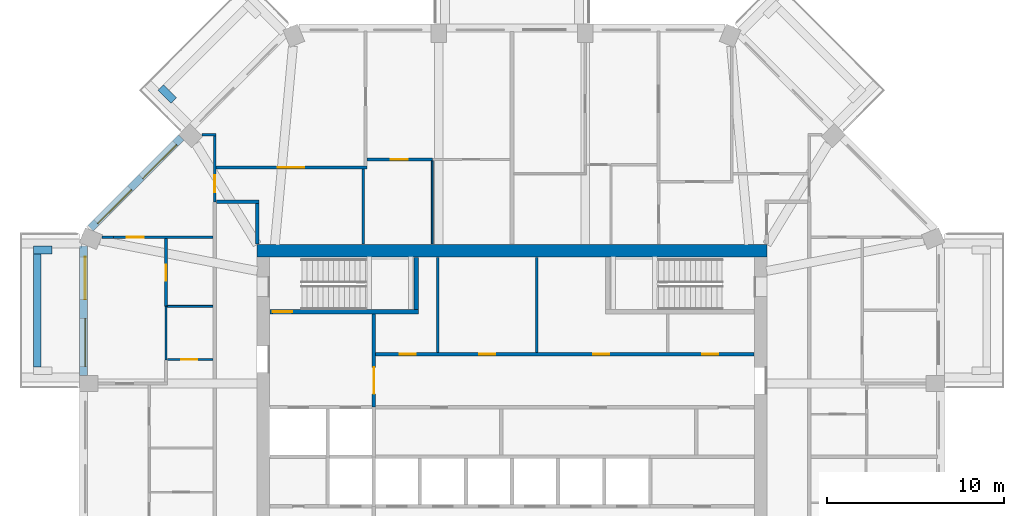
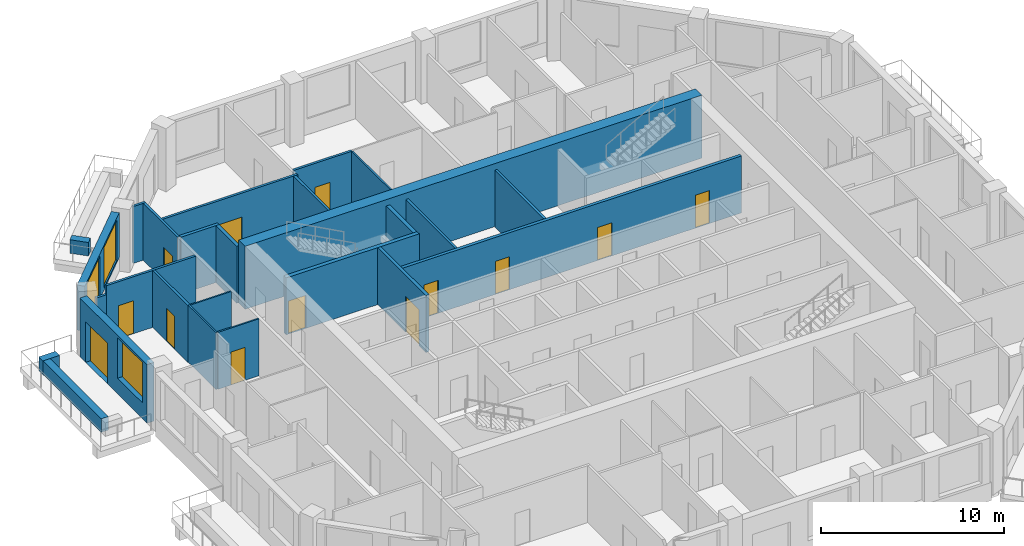
# One storey, part 7 of 12: 26 walls, 13 doors, 3 windows, 16 openings.
"""IFC4 building model written with IfcOpenShell, lengths in metres."""

from ifc_helpers import new_model, si_unit, direction, frame, frame_2d, origin, place, context, subcontext, project, spatial, rectangle, extrude, material, layer, layer_set, type_object, element, fill, save


model = new_model("IFC4")

# Units and contexts
model_context = context("Model", 3, precision=1e-05, world=origin(), true_north=direction((0.0, 1.0)))
body_context = subcontext(model_context, "Body", "Model", "MODEL_VIEW")
ifc_project = project(units=[si_unit("LENGTHUNIT", "METRE"), si_unit("AREAUNIT", "SQUARE_METRE"), si_unit("VOLUMEUNIT", "CUBIC_METRE"), si_unit("PLANEANGLEUNIT", "RADIAN"), si_unit("MASSUNIT", "GRAM", prefix="KILO")], contexts=[model_context])

# Site, building, storey
site_placement = place(None, origin())
site = spatial("IfcSite", under=ifc_project, at=site_placement, CompositionType="ELEMENT")
building_placement = place(site_placement, origin())
building = spatial("IfcBuilding", under=site, at=building_placement, Name="Msitu Wima Residences", CompositionType="ELEMENT")
storey_placement = place(building_placement, frame((0.0, 0.0, 204.300048828125)))
storey = spatial("IfcBuildingStorey", under=building, at=storey_placement, Name="L47", CompositionType="ELEMENT", Elevation=204.300048828125)

# Walls
ifc_material_1 = material(Name="Facing brick")
ifc_layer_1 = layer(ifc_material_1, 0.06494140625, Name="Facing brick")
ifc_material_2 = material(Name="Concrete C40/50", Category="concrete")
ifc_layer_2 = layer(ifc_material_2, 0.156005859375, Name="Concrete C40/50")
ifc_material_3 = material(Name="Waterproofing membrane")
ifc_layer_3 = layer(ifc_material_3, 0.00390625, Name="Waterproofing membrane")
ifc_material_4 = material(Name="Planting soil and planting")
ifc_layer_4 = layer(ifc_material_4, 0.22509765625, Name="Planting soil and planting")
ifc_layer_set_1 = layer_set([ifc_layer_1, ifc_layer_2, ifc_layer_3, ifc_layer_4], Name="Concrete C40/50")
wall_type_1 = type_object("IfcWallType", Name="Balcony planter PLANTER PL450", PredefinedType="USERDEFINED", material=ifc_layer_set_1)
wall_1_placement = place(storey_placement, frame((-19.107421875, 20.1328125, 0.0), z_axis=(0.0, 0.0, 1.0), x_axis=(-0.707106781187, 0.707106781187, 0.0)))
element("IfcWall", 1, at=wall_1_placement, inside=storey, type_object=wall_type_1, Name="Balcony planter NW0 L47", ObjectType="PLANTER", PredefinedType="USERDEFINED", context=body_context, shape_type="SweptSolid", body=[
    extrude(rectangle(XDim=1.050048828125, YDim=0.449951171875, at=frame_2d((0.52490234375, 0.0))), origin(), (0.0, 0.0, 1.0), 0.89990234375),
])
wall_2_placement = place(storey_placement, frame((-26.824951171875, 11.461669921875, 0.0), z_axis=(0.0, 0.0, 1.0), x_axis=(0.0, -1.0, 0.0)))
element("IfcWall", 2, at=wall_2_placement, inside=storey, type_object=wall_type_1, Name="Balcony planter W0 L47", ObjectType="PLANTER", PredefinedType="USERDEFINED", context=body_context, shape_type="SweptSolid", body=[
    extrude(rectangle(XDim=6.37451171875, YDim=0.449951171875, at=frame_2d((3.187255859375, 0.0))), origin(), (0.0, 0.0, 1.0), 0.89990234375),
])
wall_3_placement = place(storey_placement, frame((-26.0, 11.686767578125, 0.0), z_axis=(0.0, 0.0, 1.0), x_axis=(-1.0, 0.0, 0.0)))
element("IfcWall", 3, at=wall_3_placement, inside=storey, type_object=wall_type_1, Name="Balcony planter W0 L47", ObjectType="PLANTER", PredefinedType="USERDEFINED", context=body_context, shape_type="SweptSolid", body=[
    extrude(rectangle(XDim=1.050048828125, YDim=0.449951171875, at=frame_2d((0.52490234375, 0.0))), origin(), (0.0, 0.0, 1.0), 0.89990234375),
])

# Wall, openings, windows
ifc_material_5 = material(Name="Brick (red buff mix)", Category="masonry")
ifc_layer_5 = layer(ifc_material_5, 0.449951171875)
ifc_layer_set_2 = layer_set([ifc_layer_5], Name="Brick (red buff mix)")
wall_type_2 = type_object("IfcWallType", Name="Brick infill wall BW450", PredefinedType="SOLIDWALL", material=ifc_layer_set_2)
wall_4_placement = place(storey_placement, frame((-18.68310546875, 18.046875, 0.89990234375), z_axis=(0.0, 0.0, 1.0), x_axis=(-0.707106781187, -0.707106781187, 0.0)))
wall_4 = element("IfcWall", 4, at=wall_4_placement, inside=storey, type_object=wall_type_2, Name="Brick infill wall L47 NW1", PredefinedType="SOLIDWALL", context=body_context, shape_type="SweptSolid", body=[
    extrude(rectangle(XDim=7.257080078125, YDim=0.449951171875, at=frame_2d((3.62841796875, 0.0))), origin(), (0.0, 0.0, 1.0), 3.0),
])
opening_1_placement = place(wall_4_placement, frame((0.478515625, 0.0, 0.14990234375)))
opening_1 = element("IfcOpeningElement", 5, at=opening_1_placement, cuts=wall_4, Name="Opening W47.014", PredefinedType="OPENING", context=body_context, shape_type="SweptSolid", body=[
    extrude(rectangle(XDim=2.699951171875, YDim=2.699951171875, at=frame_2d((1.35009765625, 1.35009765625))), frame((0.0, 0.23486328125, 0.0), z_axis=(0.0, -1.0, 0.0), x_axis=(1.0, 0.0, 0.0)), (0.0, 0.0, 1.0), 0.469970703125),
])
opening_2_placement = place(wall_4_placement, frame((4.07861328125, 0.0, 0.14990234375)))
opening_2 = element("IfcOpeningElement", 6, at=opening_2_placement, cuts=wall_4, Name="Opening W47.015", PredefinedType="OPENING", context=body_context, shape_type="SweptSolid", body=[
    extrude(rectangle(XDim=2.699951171875, YDim=2.699951171875, at=frame_2d((1.35009765625, 1.35009765625))), frame((0.0, 0.23486328125, 0.0), z_axis=(0.0, -1.0, 0.0), x_axis=(1.0, 0.0, 0.0)), (0.0, 0.0, 1.0), 0.469970703125),
])
ifc_material_6 = material(Name="Anodised aluminium, bronze finish, clear low-emissivity double glazing", Category="aluminium")
window_type = type_object("IfcWindowType", Name="Window W2700x2700", PartitioningType="DOUBLE_PANEL_VERTICAL", PredefinedType="WINDOW", material=ifc_material_6)
window_1_placement = place(opening_1_placement, origin())
window_1 = element("IfcWindow", 7, at=window_1_placement, inside=storey, type_object=window_type, Name="Window L47 NW1.1", OverallHeight=2.699951171875, OverallWidth=2.699951171875, PartitioningType="SINGLE_PANEL", PredefinedType="WINDOW", context=body_context, shape_type="SweptSolid", body=[
    extrude(rectangle(XDim=2.699951171875, YDim=2.699951171875, at=frame_2d((1.35009765625, 1.35009765625))), frame((0.0, 0.135009765625, 0.0), z_axis=(0.0, -1.0, 0.0), x_axis=(1.0, 0.0, 0.0)), (0.0, 0.0, 1.0), 0.06005859375),
])
fill(opening_1, window_1)
window_2_placement = place(opening_2_placement, origin())
window_2 = element("IfcWindow", 8, at=window_2_placement, inside=storey, type_object=window_type, Name="Window L47 NW1.2", OverallHeight=2.699951171875, OverallWidth=2.699951171875, PartitioningType="SINGLE_PANEL", PredefinedType="WINDOW", context=body_context, shape_type="SweptSolid", body=[
    extrude(rectangle(XDim=2.699951171875, YDim=2.699951171875, at=frame_2d((1.35009765625, 1.35009765625))), frame((0.0, 0.135009765625, 0.0), z_axis=(0.0, -1.0, 0.0), x_axis=(1.0, 0.0, 0.0)), (0.0, 0.0, 1.0), 0.06005859375),
])
fill(opening_2, window_2)

# Wall, openings, door, window
wall_5_placement = place(storey_placement, frame((-24.22509765625, 11.9248046875, 0.0), z_axis=(0.0, 0.0, 1.0), x_axis=(0.0, -1.0, 0.0)))
wall_5 = element("IfcWall", 9, at=wall_5_placement, inside=storey, type_object=wall_type_2, Name="Brick infill wall L47 W0", PredefinedType="SOLIDWALL", context=body_context, shape_type="SweptSolid", body=[
    extrude(rectangle(XDim=7.337646484375, YDim=0.449951171875, at=frame_2d((3.6689453125, 0.0))), origin(), (0.0, 0.0, 1.0), 3.89990234375),
])
opening_3_placement = place(wall_5_placement, frame((0.63427734375, 0.0, 0.0)))
opening_3 = element("IfcOpeningElement", 10, at=opening_3_placement, cuts=wall_5, Name="Opening D47.009", PredefinedType="OPENING", context=body_context, shape_type="SweptSolid", body=[
    extrude(rectangle(XDim=2.39990234375, YDim=2.699951171875, at=frame_2d((1.199951171875, 1.35009765625))), frame((0.0, 0.23486328125, 0.0), z_axis=(0.0, -1.0, 0.0), x_axis=(1.0, 0.0, 0.0)), (0.0, 0.0, 1.0), 0.469970703125),
])
opening_4_placement = place(wall_5_placement, frame((4.11865234375, 0.0, 1.050048828125)))
opening_4 = element("IfcOpeningElement", 11, at=opening_4_placement, cuts=wall_5, Name="Opening W47.027", PredefinedType="OPENING", context=body_context, shape_type="SweptSolid", body=[
    extrude(rectangle(XDim=2.699951171875, YDim=2.699951171875, at=frame_2d((1.35009765625, 1.35009765625))), frame((0.0, 0.23486328125, 0.0), z_axis=(0.0, -1.0, 0.0), x_axis=(1.0, 0.0, 0.0)), (0.0, 0.0, 1.0), 0.469970703125),
])
door_type_1 = type_object("IfcDoorType", Name="Balcony door D2400x2700", OperationType="SLIDING_TO_LEFT", PredefinedType="DOOR", material=ifc_material_6)
door_1_placement = place(opening_3_placement, origin())
door_1 = element("IfcDoor", 12, at=door_1_placement, inside=storey, type_object=door_type_1, Name="Balcony door L47 W0", OperationType="SINGLE_SWING_LEFT", OverallHeight=2.699951171875, OverallWidth=2.39990234375, PredefinedType="DOOR", context=body_context, shape_type="SweptSolid", body=[
    extrude(rectangle(XDim=2.39990234375, YDim=2.699951171875, at=frame_2d((1.199951171875, 1.35009765625))), frame((0.0, 0.1298828125, 0.0), z_axis=(0.0, -1.0, 0.0), x_axis=(1.0, 0.0, 0.0)), (0.0, 0.0, 1.0), 0.050048828125),
])
fill(opening_3, door_1)
window_3_placement = place(opening_4_placement, origin())
window_3 = element("IfcWindow", 13, at=window_3_placement, inside=storey, type_object=window_type, Name="Window L47 W0.2", OverallHeight=2.699951171875, OverallWidth=2.699951171875, PartitioningType="SINGLE_PANEL", PredefinedType="WINDOW", context=body_context, shape_type="SweptSolid", body=[
    extrude(rectangle(XDim=2.699951171875, YDim=2.699951171875, at=frame_2d((1.35009765625, 1.35009765625))), frame((0.0, 0.135009765625, 0.0), z_axis=(0.0, -1.0, 0.0), x_axis=(1.0, 0.0, 0.0)), (0.0, 0.0, 1.0), 0.06005859375),
])
fill(opening_4, window_3)

# Walls
ifc_material_7 = material(Name="Concrete C60/75", Category="concrete")
ifc_layer_6 = layer(ifc_material_7, 0.699951171875)
ifc_layer_set_3 = layer_set([ifc_layer_6], Name="Concrete C60/75")
wall_type_3 = type_object("IfcWallType", Name="Core wall CW700 C60/75", PredefinedType="SHEAR", material=ifc_layer_set_3)
wall_6_placement = place(storey_placement, frame((-14.39990234375, 11.64990234375, 0.0), z_axis=(0.0, 0.0, 1.0), x_axis=(1.0, 0.0, 0.0)))
element("IfcWall", 14, at=wall_6_placement, inside=storey, type_object=wall_type_3, Name="Core wall", PredefinedType="SHEAR", context=body_context, shape_type="SweptSolid", body=[
    extrude(rectangle(XDim=28.7998046875, YDim=0.699951171875, at=frame_2d((14.39990234375, 0.0))), origin(), (0.0, 0.0, 1.0), 4.199951171875),
])
ifc_material_8 = material(Name="Plaster")
ifc_layer_7 = layer(ifc_material_8, 0.011962890625, Name="Plaster")
ifc_material_9 = material(Name="Concrete blockwork", Category="masonry")
ifc_layer_8 = layer(ifc_material_9, 0.176025390625, Name="Concrete blockwork")
ifc_layer_9 = layer(ifc_material_8, 0.011962890625, Name="Plaster")
ifc_layer_set_4 = layer_set([ifc_layer_7, ifc_layer_8, ifc_layer_9], Name="Concrete blockwork")
wall_type_4 = type_object("IfcWallType", Name="Corridor wall FW200", PredefinedType="PARTITIONING", material=ifc_layer_set_4)
wall_7_placement = place(storey_placement, frame((-16.699951171875, 14.39990234375, 0.0), z_axis=(0.0, 0.0, 1.0), x_axis=(1.0, 0.0, 0.0)))
element("IfcWall", 15, at=wall_7_placement, inside=storey, type_object=wall_type_4, Name="Corridor wall", PredefinedType="PARTITIONING", context=body_context, shape_type="SweptSolid", body=[
    extrude(rectangle(XDim=2.39990234375, YDim=0.199951171875, at=frame_2d((1.199951171875, 0.0))), origin(), (0.0, 0.0, 1.0), 3.7978515625),
])
wall_8_placement = place(storey_placement, frame((-14.39990234375, 12.030029296875, 0.0), z_axis=(0.0, 0.0, 1.0), x_axis=(0.0, 1.0, 0.0)))
element("IfcWall", 16, at=wall_8_placement, inside=storey, type_object=wall_type_4, Name="Corridor wall", PredefinedType="PARTITIONING", context=body_context, shape_type="SweptSolid", body=[
    extrude(rectangle(XDim=2.27001953125, YDim=0.199951171875, at=frame_2d((1.135009765625, 0.0))), origin(), (0.0, 0.0, 1.0), 3.7978515625),
])

# Wall, opening, door
wall_9_placement = place(storey_placement, frame((-7.800048828125, 2.800048828125, 0.0), z_axis=(0.0, 0.0, 1.0), x_axis=(0.0, 1.0, 0.0)))
wall_9 = element("IfcWall", 17, at=wall_9_placement, inside=storey, type_object=wall_type_4, Name="Corridor wall", PredefinedType="PARTITIONING", context=body_context, shape_type="SweptSolid", body=[
    extrude(rectangle(XDim=5.27490234375, YDim=0.199951171875, at=frame_2d((2.637451171875, 0.0))), origin(), (0.0, 0.0, 1.0), 3.7978515625),
])
opening_5_placement = place(wall_9_placement, frame((0.75, 0.0, 0.0)))
opening_5 = element("IfcOpeningElement", 18, at=opening_5_placement, cuts=wall_9, Name="Opening D47.061", PredefinedType="OPENING", context=body_context, shape_type="SweptSolid", body=[
    extrude(rectangle(XDim=1.5, YDim=2.39990234375, at=frame_2d((0.75, 1.199951171875))), frame((0.0, 0.10986328125, 0.0), z_axis=(0.0, -1.0, 0.0), x_axis=(1.0, 0.0, 0.0)), (0.0, 0.0, 1.0), 0.219970703125),
])
ifc_material_10 = material(Name="Steel framed glazed door, fire resisting", Category="steel")
door_type_2 = type_object("IfcDoorType", Name="Lobby door D07 1500x2400", OperationType="DOUBLE_DOOR_SINGLE_SWING", PredefinedType="DOOR", material=ifc_material_10)
door_2_placement = place(opening_5_placement, origin())
door_2 = element("IfcDoor", 19, at=door_2_placement, inside=storey, type_object=door_type_2, Name="Lobby door", OperationType="DOUBLE_DOOR_SINGLE_SWING", OverallHeight=2.39990234375, OverallWidth=1.5, PredefinedType="DOOR", context=body_context, shape_type="SweptSolid", body=[
    extrude(rectangle(XDim=1.5, YDim=2.39990234375, at=frame_2d((0.75, 1.199951171875))), frame((0.0, 0.02490234375, 0.0), z_axis=(0.0, -1.0, 0.0), x_axis=(1.0, 0.0, 0.0)), (0.0, 0.0, 1.0), 0.050048828125),
])
fill(opening_5, door_2)

# Wall, openings, doors
wall_10_placement = place(storey_placement, frame((-7.699951171875, 5.800048828125, 0.0), z_axis=(0.0, 0.0, 1.0), x_axis=(1.0, 0.0, 0.0)))
wall_10 = element("IfcWall", 20, at=wall_10_placement, inside=storey, type_object=wall_type_4, Name="Corridor wall", PredefinedType="PARTITIONING", context=body_context, shape_type="SweptSolid", body=[
    extrude(rectangle(XDim=21.369873046875, YDim=0.199951171875, at=frame_2d((10.68505859375, 0.0))), origin(), (0.0, 0.0, 1.0), 3.7978515625),
])
opening_6_placement = place(wall_10_placement, frame((1.35009765625, 0.0, 0.0)))
opening_6 = element("IfcOpeningElement", 21, at=opening_6_placement, cuts=wall_10, Name="Opening D47.064", PredefinedType="OPENING", context=body_context, shape_type="SweptSolid", body=[
    extrude(rectangle(XDim=0.89990234375, YDim=2.199951171875, at=frame_2d((0.449951171875, 1.10009765625))), frame((0.0, 0.10986328125, 0.0), z_axis=(0.0, -1.0, 0.0), x_axis=(1.0, 0.0, 0.0)), (0.0, 0.0, 1.0), 0.219970703125),
])
opening_7_placement = place(wall_10_placement, frame((5.85009765625, 0.0, 0.0)))
opening_7 = element("IfcOpeningElement", 22, at=opening_7_placement, cuts=wall_10, Name="Opening D47.065", PredefinedType="OPENING", context=body_context, shape_type="SweptSolid", body=[
    extrude(rectangle(XDim=0.89990234375, YDim=2.199951171875, at=frame_2d((0.449951171875, 1.10009765625))), frame((0.0, 0.10986328125, 0.0), z_axis=(0.0, -1.0, 0.0), x_axis=(1.0, 0.0, 0.0)), (0.0, 0.0, 1.0), 0.219970703125),
])
opening_8_placement = place(wall_10_placement, frame((12.300048828125, 0.0, 0.0)))
opening_8 = element("IfcOpeningElement", 23, at=opening_8_placement, cuts=wall_10, Name="Opening D47.066", PredefinedType="OPENING", context=body_context, shape_type="SweptSolid", body=[
    extrude(rectangle(XDim=0.89990234375, YDim=2.199951171875, at=frame_2d((0.449951171875, 1.10009765625))), frame((0.0, 0.10986328125, 0.0), z_axis=(0.0, -1.0, 0.0), x_axis=(1.0, 0.0, 0.0)), (0.0, 0.0, 1.0), 0.219970703125),
])
opening_9_placement = place(wall_10_placement, frame((18.449951171875, 0.0, 0.0)))
opening_9 = element("IfcOpeningElement", 24, at=opening_9_placement, cuts=wall_10, Name="Opening D47.067", PredefinedType="OPENING", context=body_context, shape_type="SweptSolid", body=[
    extrude(rectangle(XDim=0.89990234375, YDim=2.199951171875, at=frame_2d((0.449951171875, 1.10009765625))), frame((0.0, 0.10986328125, 0.0), z_axis=(0.0, -1.0, 0.0), x_axis=(1.0, 0.0, 0.0)), (0.0, 0.0, 1.0), 0.219970703125),
])
ifc_material_11 = material(Name="Timber flush door", Category="wood")
door_type_3 = type_object("IfcDoorType", Name="Service door D05 900x2200", OperationType="SINGLE_SWING_LEFT", PredefinedType="DOOR", material=ifc_material_11)
door_3_placement = place(opening_6_placement, origin())
door_3 = element("IfcDoor", 25, at=door_3_placement, inside=storey, type_object=door_type_3, Name="Service door", OperationType="SINGLE_SWING_RIGHT", OverallHeight=2.199951171875, OverallWidth=0.89990234375, PredefinedType="DOOR", context=body_context, shape_type="SweptSolid", body=[
    extrude(rectangle(XDim=0.89990234375, YDim=2.199951171875, at=frame_2d((0.449951171875, 1.10009765625))), frame((0.0, 0.02490234375, 0.0), z_axis=(0.0, -1.0, 0.0), x_axis=(1.0, 0.0, 0.0)), (0.0, 0.0, 1.0), 0.050048828125),
])
fill(opening_6, door_3)
door_4_placement = place(opening_7_placement, origin())
door_4 = element("IfcDoor", 26, at=door_4_placement, inside=storey, type_object=door_type_3, Name="Service door", OperationType="SINGLE_SWING_LEFT", OverallHeight=2.199951171875, OverallWidth=0.89990234375, PredefinedType="DOOR", context=body_context, shape_type="SweptSolid", body=[
    extrude(rectangle(XDim=0.89990234375, YDim=2.199951171875, at=frame_2d((0.449951171875, 1.10009765625))), frame((0.0, 0.02490234375, 0.0), z_axis=(0.0, -1.0, 0.0), x_axis=(1.0, 0.0, 0.0)), (0.0, 0.0, 1.0), 0.050048828125),
])
fill(opening_7, door_4)
door_5_placement = place(opening_8_placement, origin())
door_5 = element("IfcDoor", 27, at=door_5_placement, inside=storey, type_object=door_type_3, Name="Service door", OperationType="SINGLE_SWING_RIGHT", OverallHeight=2.199951171875, OverallWidth=0.89990234375, PredefinedType="DOOR", context=body_context, shape_type="SweptSolid", body=[
    extrude(rectangle(XDim=0.89990234375, YDim=2.199951171875, at=frame_2d((0.449951171875, 1.10009765625))), frame((0.0, 0.02490234375, 0.0), z_axis=(0.0, -1.0, 0.0), x_axis=(1.0, 0.0, 0.0)), (0.0, 0.0, 1.0), 0.050048828125),
])
fill(opening_8, door_5)
door_6_placement = place(opening_9_placement, origin())
door_6 = element("IfcDoor", 28, at=door_6_placement, inside=storey, type_object=door_type_3, Name="Service door", OperationType="SINGLE_SWING_LEFT", OverallHeight=2.199951171875, OverallWidth=0.89990234375, PredefinedType="DOOR", context=body_context, shape_type="SweptSolid", body=[
    extrude(rectangle(XDim=0.89990234375, YDim=2.199951171875, at=frame_2d((0.449951171875, 1.10009765625))), frame((0.0, 0.02490234375, 0.0), z_axis=(0.0, -1.0, 0.0), x_axis=(1.0, 0.0, 0.0)), (0.0, 0.0, 1.0), 0.050048828125),
])
fill(opening_9, door_6)

# Wall
ifc_layer_10 = layer(ifc_material_8, 0.011962890625, Name="Plaster")
ifc_layer_11 = layer(ifc_material_9, 0.1259765625, Name="Concrete blockwork")
ifc_layer_12 = layer(ifc_material_8, 0.011962890625, Name="Plaster")
ifc_layer_set_5 = layer_set([ifc_layer_10, ifc_layer_11, ifc_layer_12], Name="Concrete blockwork")
wall_type_5 = type_object("IfcWallType", Name="Partition PW150", PredefinedType="PARTITIONING", material=ifc_layer_set_5)
wall_11_placement = place(storey_placement, frame((-23.169677734375, 12.409912109375, 0.0), z_axis=(0.0, 0.0, 1.0), x_axis=(1.0, 0.0, 0.0)))
element("IfcWall", 29, at=wall_11_placement, inside=storey, type_object=wall_type_5, Name="Partition", PredefinedType="PARTITIONING", context=body_context, shape_type="SweptSolid", body=[
    extrude(rectangle(XDim=0.640380859375, YDim=0.14990234375, at=frame_2d((0.3203125, 0.0))), origin(), (0.0, 0.0, 1.0), 3.199951171875),
])

# Wall, opening, door
wall_12_placement = place(storey_placement, frame((-22.529296875, 12.409912109375, 0.0), z_axis=(0.0, 0.0, 1.0), x_axis=(1.0, 0.0, 0.0)))
wall_12 = element("IfcWall", 30, at=wall_12_placement, inside=storey, type_object=wall_type_5, Name="Partition", PredefinedType="PARTITIONING", context=body_context, shape_type="SweptSolid", body=[
    extrude(rectangle(XDim=5.62939453125, YDim=0.14990234375, at=frame_2d((2.814697265625, 0.0))), origin(), (0.0, 0.0, 1.0), 3.7978515625),
])
opening_10_placement = place(wall_12_placement, frame((0.759521484375, 0.0, 0.0)))
opening_10 = element("IfcOpeningElement", 31, at=opening_10_placement, cuts=wall_12, Name="Opening D47.043", PredefinedType="OPENING", context=body_context, shape_type="SweptSolid", body=[
    extrude(rectangle(XDim=0.949951171875, YDim=2.199951171875, at=frame_2d((0.47509765625, 1.10009765625))), frame((0.0, 0.0849609375, 0.0), z_axis=(0.0, -1.0, 0.0), x_axis=(1.0, 0.0, 0.0)), (0.0, 0.0, 1.0), 0.169921875),
])
door_type_4 = type_object("IfcDoorType", Name="Room door D12 950x2200", OperationType="SINGLE_SWING_LEFT", PredefinedType="DOOR", material=ifc_material_11)
door_7_placement = place(opening_10_placement, origin())
door_7 = element("IfcDoor", 32, at=door_7_placement, inside=storey, type_object=door_type_4, Name="Room door", OperationType="SINGLE_SWING_LEFT", OverallHeight=2.199951171875, OverallWidth=0.949951171875, PredefinedType="DOOR", context=body_context, shape_type="SweptSolid", body=[
    extrude(rectangle(XDim=0.949951171875, YDim=2.199951171875, at=frame_2d((0.47509765625, 1.10009765625))), frame((0.0, 0.02490234375, 0.0), z_axis=(0.0, -1.0, 0.0), x_axis=(1.0, 0.0, 0.0)), (0.0, 0.0, 1.0), 0.050048828125),
])
fill(opening_10, door_7)

wall_13_placement = place(storey_placement, frame((-19.550048828125, 8.5, 0.0), z_axis=(0.0, 0.0, 1.0), x_axis=(0.0, 1.0, 0.0)))
wall_13 = element("IfcWall", 33, at=wall_13_placement, inside=storey, type_object=wall_type_5, Name="Partition", PredefinedType="PARTITIONING", context=body_context, shape_type="SweptSolid", body=[
    extrude(rectangle(XDim=3.8349609375, YDim=0.14990234375, at=frame_2d((1.91748046875, 0.0))), origin(), (0.0, 0.0, 1.0), 3.7978515625),
])
opening_11_placement = place(wall_13_placement, frame((1.449951171875, 0.0, 0.0)))
opening_11 = element("IfcOpeningElement", 34, at=opening_11_placement, cuts=wall_13, Name="Opening D47.029", PredefinedType="OPENING", context=body_context, shape_type="SweptSolid", body=[
    extrude(rectangle(XDim=0.89990234375, YDim=2.199951171875, at=frame_2d((0.449951171875, 1.10009765625))), frame((0.0, 0.0849609375, 0.0), z_axis=(0.0, -1.0, 0.0), x_axis=(1.0, 0.0, 0.0)), (0.0, 0.0, 1.0), 0.169921875),
])
door_8_placement = place(opening_11_placement, origin())
door_8 = element("IfcDoor", 35, at=door_8_placement, inside=storey, type_object=door_type_3, Name="Service door", OperationType="SINGLE_SWING_RIGHT", OverallHeight=2.199951171875, OverallWidth=0.89990234375, PredefinedType="DOOR", context=body_context, shape_type="SweptSolid", body=[
    extrude(rectangle(XDim=0.89990234375, YDim=2.199951171875, at=frame_2d((0.449951171875, 1.10009765625))), frame((0.0, 0.02490234375, 0.0), z_axis=(0.0, -1.0, 0.0), x_axis=(1.0, 0.0, 0.0)), (0.0, 0.0, 1.0), 0.050048828125),
])
fill(opening_11, door_8)

# Wall
wall_14_placement = place(storey_placement, frame((-17.509521484375, 18.205810546875, 0.0), z_axis=(0.0, 0.0, 1.0), x_axis=(1.0, 0.0, 0.0)))
element("IfcWall", 36, at=wall_14_placement, inside=storey, type_object=wall_type_5, Name="Partition", PredefinedType="PARTITIONING", context=body_context, shape_type="SweptSolid", body=[
    extrude(rectangle(XDim=0.784423828125, YDim=0.14990234375, at=frame_2d((0.39208984375, 0.0))), origin(), (0.0, 0.0, 1.0), 3.7978515625),
])

# Wall, opening, door
wall_15_placement = place(storey_placement, frame((-16.800048828125, 14.39990234375, 0.0), z_axis=(0.0, 0.0, 1.0), x_axis=(0.0, 1.0, 0.0)))
wall_15 = element("IfcWall", 37, at=wall_15_placement, inside=storey, type_object=wall_type_5, Name="Partition", PredefinedType="PARTITIONING", context=body_context, shape_type="SweptSolid", body=[
    extrude(rectangle(XDim=3.73095703125, YDim=0.14990234375, at=frame_2d((1.865478515625, 0.0))), origin(), (0.0, 0.0, 1.0), 3.7978515625),
])
opening_12_placement = place(wall_15_placement, frame((0.550048828125, 0.0, 0.0)))
opening_12 = element("IfcOpeningElement", 38, at=opening_12_placement, cuts=wall_15, Name="Opening D47.045", PredefinedType="OPENING", context=body_context, shape_type="SweptSolid", body=[
    extrude(rectangle(XDim=0.949951171875, YDim=2.199951171875, at=frame_2d((0.47509765625, 1.10009765625))), frame((0.0, 0.0849609375, 0.0), z_axis=(0.0, -1.0, 0.0), x_axis=(1.0, 0.0, 0.0)), (0.0, 0.0, 1.0), 0.169921875),
])
door_9_placement = place(opening_12_placement, origin())
door_9 = element("IfcDoor", 39, at=door_9_placement, inside=storey, type_object=door_type_4, Name="Room door", OperationType="SINGLE_SWING_LEFT", OverallHeight=2.199951171875, OverallWidth=0.949951171875, PredefinedType="DOOR", context=body_context, shape_type="SweptSolid", body=[
    extrude(rectangle(XDim=0.949951171875, YDim=2.199951171875, at=frame_2d((0.47509765625, 1.10009765625))), frame((0.0, 0.02490234375, 0.0), z_axis=(0.0, -1.0, 0.0), x_axis=(1.0, 0.0, 0.0)), (0.0, 0.0, 1.0), 0.050048828125),
])
fill(opening_12, door_9)

wall_16_placement = place(storey_placement, frame((-16.72509765625, 16.35009765625, 0.0), z_axis=(0.0, 0.0, 1.0), x_axis=(1.0, 0.0, 0.0)))
wall_16 = element("IfcWall", 40, at=wall_16_placement, inside=storey, type_object=wall_type_5, Name="Partition", PredefinedType="PARTITIONING", context=body_context, shape_type="SweptSolid", body=[
    extrude(rectangle(XDim=8.525634765625, YDim=0.14990234375, at=frame_2d((4.2626953125, 0.0))), origin(), (0.0, 0.0, 1.0), 3.7978515625),
])
opening_13_placement = place(wall_16_placement, frame((3.5, 0.0, 0.0)))
opening_13 = element("IfcOpeningElement", 41, at=opening_13_placement, cuts=wall_16, Name="Opening D47.026", PredefinedType="OPENING", context=body_context, shape_type="SweptSolid", body=[
    extrude(rectangle(XDim=1.5, YDim=2.199951171875, at=frame_2d((0.75, 1.10009765625))), frame((0.0, 0.0849609375, 0.0), z_axis=(0.0, -1.0, 0.0), x_axis=(1.0, 0.0, 0.0)), (0.0, 0.0, 1.0), 0.169921875),
])
ifc_material_12 = material(Name="Timber double door", Category="wood")
door_type_5 = type_object("IfcDoorType", Name="Double door D04 1500x2200", OperationType="DOUBLE_DOOR_SINGLE_SWING", PredefinedType="DOOR", material=ifc_material_12)
door_10_placement = place(opening_13_placement, origin())
door_10 = element("IfcDoor", 42, at=door_10_placement, inside=storey, type_object=door_type_5, Name="Double door", OperationType="DOUBLE_DOOR_SINGLE_SWING", OverallHeight=2.199951171875, OverallWidth=1.5, PredefinedType="DOOR", context=body_context, shape_type="SweptSolid", body=[
    extrude(rectangle(XDim=1.5, YDim=2.199951171875, at=frame_2d((0.75, 1.10009765625))), frame((0.0, 0.02490234375, 0.0), z_axis=(0.0, -1.0, 0.0), x_axis=(1.0, 0.0, 0.0)), (0.0, 0.0, 1.0), 0.050048828125),
])
fill(opening_13, door_10)

# Wall
wall_17_placement = place(storey_placement, frame((-8.39990234375, 12.030029296875, 0.0), z_axis=(0.0, 0.0, 1.0), x_axis=(0.0, 1.0, 0.0)))
element("IfcWall", 43, at=wall_17_placement, inside=storey, type_object=wall_type_5, Name="Partition", PredefinedType="PARTITIONING", context=body_context, shape_type="SweptSolid", body=[
    extrude(rectangle(XDim=4.244873046875, YDim=0.14990234375, at=frame_2d((2.12255859375, 0.0))), origin(), (0.0, 0.0, 1.0), 3.7978515625),
])

# Wall, opening, door
wall_18_placement = place(storey_placement, frame((-8.199462890625, 16.800048828125, 0.0), z_axis=(0.0, 0.0, 1.0), x_axis=(1.0, 0.0, 0.0)))
wall_18 = element("IfcWall", 44, at=wall_18_placement, inside=storey, type_object=wall_type_5, Name="Partition", PredefinedType="PARTITIONING", context=body_context, shape_type="SweptSolid", body=[
    extrude(rectangle(XDim=3.699462890625, YDim=0.14990234375, at=frame_2d((1.849609375, 0.0))), origin(), (0.0, 0.0, 1.0), 3.7978515625),
])
opening_14_placement = place(wall_18_placement, frame((1.35009765625, 0.0, 0.0)))
opening_14 = element("IfcOpeningElement", 45, at=opening_14_placement, cuts=wall_18, Name="Opening D47.035", PredefinedType="OPENING", context=body_context, shape_type="SweptSolid", body=[
    extrude(rectangle(XDim=0.949951171875, YDim=2.199951171875, at=frame_2d((0.47509765625, 1.10009765625))), frame((0.0, 0.0849609375, 0.0), z_axis=(0.0, -1.0, 0.0), x_axis=(1.0, 0.0, 0.0)), (0.0, 0.0, 1.0), 0.169921875),
])
door_11_placement = place(opening_14_placement, origin())
door_11 = element("IfcDoor", 46, at=door_11_placement, inside=storey, type_object=door_type_4, Name="Room door", OperationType="SINGLE_SWING_LEFT", OverallHeight=2.199951171875, OverallWidth=0.949951171875, PredefinedType="DOOR", context=body_context, shape_type="SweptSolid", body=[
    extrude(rectangle(XDim=0.949951171875, YDim=2.199951171875, at=frame_2d((0.47509765625, 1.10009765625))), frame((0.0, 0.02490234375, 0.0), z_axis=(0.0, -1.0, 0.0), x_axis=(1.0, 0.0, 0.0)), (0.0, 0.0, 1.0), 0.050048828125),
])
fill(opening_14, door_11)

# Walls
for number, where, z_axis, x_axis, name in (
    (47, (-4.199951171875, 5.89990234375, 0.0), (0.0, 0.0, 1.0), (0.0, 1.0, 0.0), "Partition"),
    (48, (1.39990234375, 5.89990234375, 0.0), (0.0, 0.0, 1.0), (0.0, 1.0, 0.0), "Partition"),
):
    element("IfcWall", number, at=place(storey_placement, frame(where, z_axis=z_axis, x_axis=x_axis)), inside=storey, type_object=wall_type_5, Name=name, PredefinedType="PARTITIONING", context=body_context, shape_type="SweptSolid", body=[
        extrude(rectangle(XDim=5.3701171875, YDim=0.14990234375, at=frame_2d((2.68505859375, 0.0))), origin(), (0.0, 0.0, 1.0), 3.7978515625),
    ])

# Wall, opening, door
ifc_material_13 = material(Name="Concrete C50/60", Category="concrete")
ifc_layer_13 = layer(ifc_material_13, 0.25)
ifc_layer_set_6 = layer_set([ifc_layer_13], Name="Concrete C50/60")
wall_type_6 = type_object("IfcWallType", Name="Stair enclosure wall SW250", PredefinedType="SHEAR", material=ifc_layer_set_6)
wall_19_placement = place(storey_placement, frame((-13.669921875, 8.199951171875, 0.0), z_axis=(0.0, 0.0, 1.0), x_axis=(1.0, 0.0, 0.0)))
wall_19 = element("IfcWall", 49, at=wall_19_placement, inside=storey, type_object=wall_type_6, Name="Stair enclosure wall", PredefinedType="SHEAR", context=body_context, shape_type="SweptSolid", body=[
    extrude(rectangle(XDim=8.39501953125, YDim=0.25, at=frame_2d((4.197509765625, 0.0))), origin(), (0.0, 0.0, 1.0), 3.7978515625),
])
opening_15_placement = place(wall_19_placement, frame((0.14990234375, 0.0, 0.0)))
opening_15 = element("IfcOpeningElement", 50, at=opening_15_placement, cuts=wall_19, Name="Opening D47.078", PredefinedType="OPENING", context=body_context, shape_type="SweptSolid", body=[
    extrude(rectangle(XDim=1.10009765625, YDim=2.199951171875, at=frame_2d((0.550048828125, 1.10009765625))), frame((0.0, 0.135009765625, 0.0), z_axis=(0.0, -1.0, 0.0), x_axis=(1.0, 0.0, 0.0)), (0.0, 0.0, 1.0), 0.27001953125),
])
ifc_material_14 = material(Name="Steel door, fire resisting, panic bar", Category="steel")
door_type_6 = type_object("IfcDoorType", Name="Stair door D06 1100x2200", OperationType="SINGLE_SWING_LEFT", PredefinedType="DOOR", material=ifc_material_14)
door_12_placement = place(opening_15_placement, origin())
door_12 = element("IfcDoor", 51, at=door_12_placement, inside=storey, type_object=door_type_6, Name="Stair door", OperationType="SINGLE_SWING_LEFT", OverallHeight=2.199951171875, OverallWidth=1.10009765625, PredefinedType="DOOR", context=body_context, shape_type="SweptSolid", body=[
    extrude(rectangle(XDim=1.10009765625, YDim=2.199951171875, at=frame_2d((0.550048828125, 1.10009765625))), frame((0.0, 0.02490234375, 0.0), z_axis=(0.0, -1.0, 0.0), x_axis=(1.0, 0.0, 0.0)), (0.0, 0.0, 1.0), 0.050048828125),
])
fill(opening_15, door_12)

# Walls
wall_20_placement = place(storey_placement, frame((-5.39990234375, 8.324951171875, 0.0), z_axis=(0.0, 0.0, 1.0), x_axis=(0.0, 1.0, 0.0)))
element("IfcWall", 52, at=wall_20_placement, inside=storey, type_object=wall_type_6, Name="Stair enclosure wall", PredefinedType="SHEAR", context=body_context, shape_type="SweptSolid", body=[
    extrude(rectangle(XDim=2.945068359375, YDim=0.25, at=frame_2d((1.47265625, 0.0))), origin(), (0.0, 0.0, 1.0), 3.7978515625),
])
ifc_material_15 = material(Name="Ceramic tiles")
ifc_layer_14 = layer(ifc_material_15, 0.008056640625, Name="Ceramic tiles")
ifc_material_16 = material(Name="Moisture-resistant board")
ifc_layer_15 = layer(ifc_material_16, 0.012451171875, Name="Moisture-resistant board")
ifc_material_17 = material(Name="Light-gauge stud framing with mineral wool")
ifc_layer_16 = layer(ifc_material_17, 0.06689453125, Name="Light-gauge stud framing with mineral wool")
ifc_layer_17 = layer(ifc_material_16, 0.012451171875, Name="Moisture-resistant board")
ifc_layer_set_7 = layer_set([ifc_layer_14, ifc_layer_15, ifc_layer_16, ifc_layer_17], Name="Light-gauge stud framing with mineral wool")
wall_type_7 = type_object("IfcWallType", Name="Wet wall PW100", PredefinedType="PARTITIONING", material=ifc_layer_set_7)
wall_21_placement = place(storey_placement, frame((-19.550048828125, 5.47998046875, 0.0), z_axis=(0.0, 0.0, 1.0), x_axis=(0.0, 1.0, 0.0)))
element("IfcWall", 53, at=wall_21_placement, inside=storey, type_object=wall_type_7, Name="Wet wall", PredefinedType="PARTITIONING", context=body_context, shape_type="SweptSolid", body=[
    extrude(rectangle(XDim=3.02001953125, YDim=0.10009765625, at=frame_2d((1.510009765625, 0.0))), origin(), (0.0, 0.0, 1.0), 3.7978515625),
])

# Wall, opening, door
wall_22_placement = place(storey_placement, frame((-19.47509765625, 5.5, 0.0), z_axis=(0.0, 0.0, 1.0), x_axis=(1.0, 0.0, 0.0)))
wall_22 = element("IfcWall", 54, at=wall_22_placement, inside=storey, type_object=wall_type_7, Name="Wet wall", PredefinedType="PARTITIONING", context=body_context, shape_type="SweptSolid", body=[
    extrude(rectangle(XDim=2.5751953125, YDim=0.10009765625, at=frame_2d((1.28759765625, 0.0))), origin(), (0.0, 0.0, 1.0), 3.7978515625),
])
opening_16_placement = place(wall_22_placement, frame((0.800048828125, 0.0, 0.0)))
opening_16 = element("IfcOpeningElement", 55, at=opening_16_placement, cuts=wall_22, Name="Opening D47.028", PredefinedType="OPENING", context=body_context, shape_type="SweptSolid", body=[
    extrude(rectangle(XDim=0.89990234375, YDim=2.199951171875, at=frame_2d((0.449951171875, 1.10009765625))), frame((0.0, 0.06005859375, 0.0), z_axis=(0.0, -1.0, 0.0), x_axis=(1.0, 0.0, 0.0)), (0.0, 0.0, 1.0), 0.1201171875),
])
door_13_placement = place(opening_16_placement, origin())
door_13 = element("IfcDoor", 56, at=door_13_placement, inside=storey, type_object=door_type_3, Name="Service door", OperationType="SINGLE_SWING_RIGHT", OverallHeight=2.199951171875, OverallWidth=0.89990234375, PredefinedType="DOOR", context=body_context, shape_type="SweptSolid", body=[
    extrude(rectangle(XDim=0.89990234375, YDim=2.199951171875, at=frame_2d((0.449951171875, 1.10009765625))), frame((0.0, 0.02490234375, 0.0), z_axis=(0.0, -1.0, 0.0), x_axis=(1.0, 0.0, 0.0)), (0.0, 0.0, 1.0), 0.050048828125),
])
fill(opening_16, door_13)

# Walls
wall_23_placement = place(storey_placement, frame((-19.47509765625, 8.5, 0.0), z_axis=(0.0, 0.0, 1.0), x_axis=(1.0, 0.0, 0.0)))
element("IfcWall", 57, at=wall_23_placement, inside=storey, type_object=wall_type_7, Name="Wet wall", PredefinedType="PARTITIONING", context=body_context, shape_type="SweptSolid", body=[
    extrude(rectangle(XDim=2.5751953125, YDim=0.10009765625, at=frame_2d((1.28759765625, 0.0))), origin(), (0.0, 0.0, 1.0), 3.7978515625),
])
wall_24_placement = place(storey_placement, frame((-4.5, 12.030029296875, 0.0), z_axis=(0.0, 0.0, 1.0), x_axis=(0.0, 1.0, 0.0)))
element("IfcWall", 58, at=wall_24_placement, inside=storey, type_object=wall_type_7, Name="Wet wall", PredefinedType="PARTITIONING", context=body_context, shape_type="SweptSolid", body=[
    extrude(rectangle(XDim=4.695068359375, YDim=0.10009765625, at=frame_2d((2.34765625, 0.0))), origin(), (0.0, 0.0, 1.0), 3.7978515625),
])

save(model, "model.ifc")
